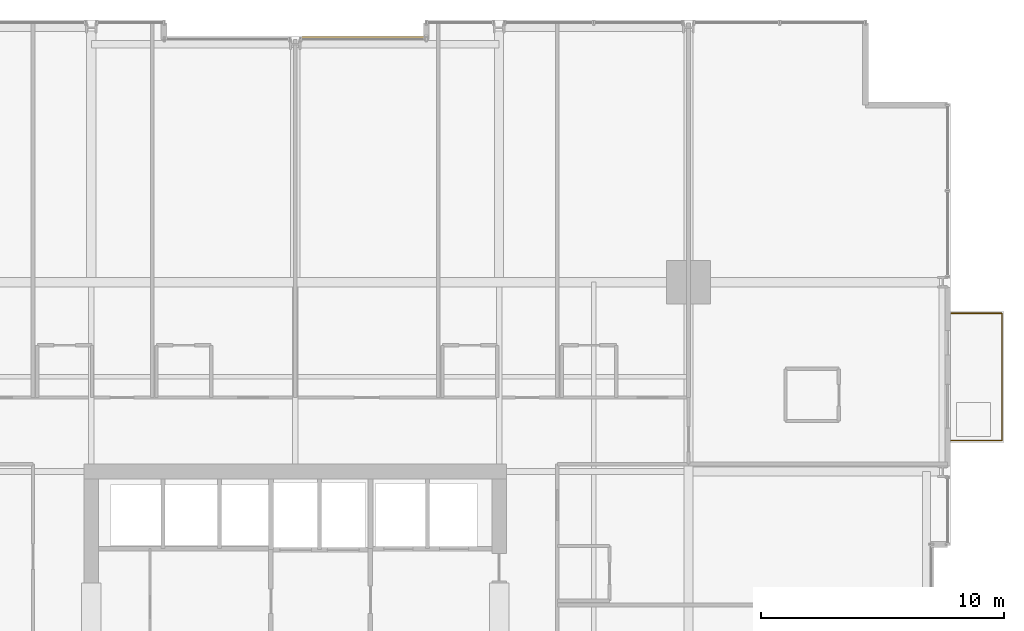
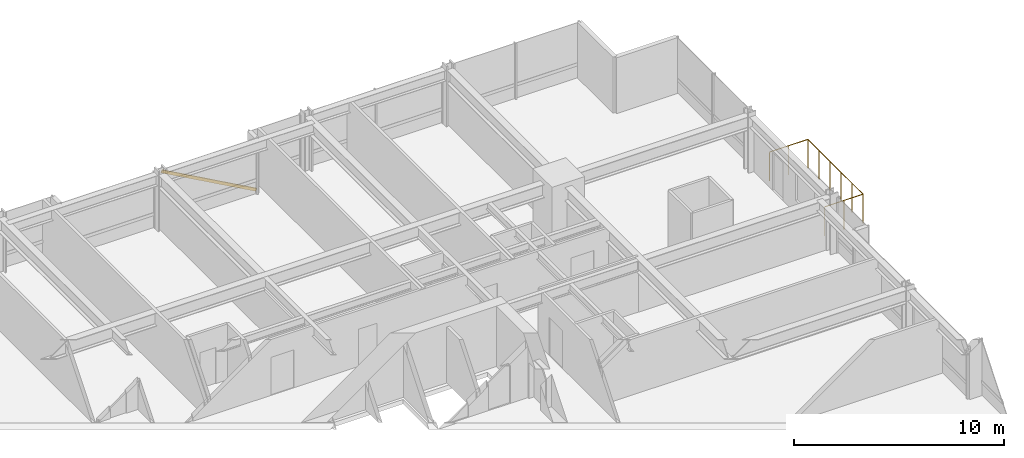
# One storey, part 38 of 38: 1 railing, 1 shading device.
"""IFC4 building model written with IfcOpenShell, lengths in metres."""

from ifc_helpers import new_model, si_unit, direction, frame, origin, origin_2d, place, context, subcontext, project, spatial, hollow_rectangle, circle, extrude, material, material_profile, profile_set, type_object, element, save


model = new_model("IFC4")

# Units and contexts
model_context = context("Model", 3, precision=1e-05, world=origin(), true_north=direction((0.0, 1.0)))
body_context = subcontext(model_context, "Body", "Model", "MODEL_VIEW")
ifc_project = project(units=[si_unit("LENGTHUNIT", "METRE"), si_unit("AREAUNIT", "SQUARE_METRE"), si_unit("VOLUMEUNIT", "CUBIC_METRE"), si_unit("PLANEANGLEUNIT", "RADIAN"), si_unit("MASSUNIT", "GRAM", prefix="KILO")], contexts=[model_context])

# Site, building, storey
site_placement = place(None, origin())
site = spatial("IfcSite", under=ifc_project, at=site_placement, CompositionType="ELEMENT")
building_placement = place(site_placement, origin())
building = spatial("IfcBuilding", under=site, at=building_placement, Name="Drelvath Grand Hotel", CompositionType="ELEMENT")
storey_placement = place(building_placement, frame((0.0, 0.0, 64.699951171875)))
storey = spatial("IfcBuildingStorey", under=building, at=storey_placement, Name="L15", CompositionType="ELEMENT", Elevation=64.699951171875)

# Shading device
ifc_material_1 = material(Name="Warm Bronze Anodised Aluminium", Category="aluminium")
ifc_material_profile = material_profile(ifc_material_1, hollow_rectangle(XDim=0.06494140625, YDim=0.159912109375, WallThickness=0.00390625, at=origin_2d()), Name="HSS160X65X4")
ifc_profile_set = profile_set([ifc_material_profile], Name="Warm Bronze Anodised Aluminium")
shading_device_type = type_object("IfcShadingDeviceType", Name="Diagonal Solar Fin Warm Bronze Anodised HSS160X65X4", PredefinedType="USERDEFINED", material=ifc_profile_set)
shading_device_placement = place(storey_placement, frame((5.39990234375, 53.280029296875, 0.179931640625), z_axis=(-0.873625592273, 0.0, 0.486598730502), x_axis=(0.0, -1.0, 0.0)))
element("IfcShadingDevice", 1, at=shading_device_placement, inside=storey, type_object=shading_device_type, Name="L15 Diagonal Anodised Fin CW02-L15-NM2", ObjectType="FIN", PredefinedType="USERDEFINED", context=body_context, shape_type="SweptSolid", body=[
    extrude(hollow_rectangle(XDim=0.06494140625, YDim=0.159912109375, WallThickness=0.00390625, at=origin_2d()), origin(), (0.0, 0.0, 1.0), 5.9189453125),
])

# Railing
ifc_material_2 = material(Name="Anodised Aluminium and Laminated Glass Balustrade", Category="aluminium")
railing_type = type_object("IfcRailingType", Name="Raised Planter Edge Balustrade 1700", PredefinedType="BALUSTRADE", material=ifc_material_2)
railing_placement = place(storey_placement, frame((27.02001953125, 36.679931640625, 0.0)))
element("IfcRailing", 2, at=railing_placement, inside=storey, type_object=railing_type, Name="L15 Tree Balcony Perimeter Balustrade 1", PredefinedType="BALUSTRADE", context=body_context, shape_type="SweptSolid", body=[
    extrude(circle(Radius=0.02392578125, at=origin_2d()), frame((0.0, 0.0, 1.67578125), z_axis=(1.0, 0.0, 0.0), x_axis=(0.0, 1.0, 0.0)), (0.0, 0.0, 1.0), 2.10009765625),
    extrude(circle(Radius=0.02392578125, at=origin_2d()), frame((2.10009765625, 0.0, 1.67578125), z_axis=(0.0, 1.0, 0.0), x_axis=(-1.0, 0.0, 0.0)), (0.0, 0.0, 1.0), 5.239990234375),
    extrude(circle(Radius=0.02392578125, at=origin_2d()), frame((2.10009765625, 5.239990234375, 1.67578125), z_axis=(-1.0, 0.0, 0.0), x_axis=(0.0, -1.0, 0.0)), (0.0, 0.0, 1.0), 2.10009765625),
    extrude(circle(Radius=0.02099609375, at=origin_2d()), origin(), (0.0, 0.0, 1.0), 1.65185546875),
    extrude(circle(Radius=0.02099609375, at=origin_2d()), frame((1.050048828125, 0.0, 0.0)), (0.0, 0.0, 1.0), 1.65185546875),
    extrude(circle(Radius=0.02099609375, at=origin_2d()), frame((2.10009765625, 0.0, 0.0)), (0.0, 0.0, 1.0), 1.65185546875),
    extrude(circle(Radius=0.02099609375, at=origin_2d()), frame((2.10009765625, 1.048095703125, 0.0)), (0.0, 0.0, 1.0), 1.65185546875),
    extrude(circle(Radius=0.02099609375, at=origin_2d()), frame((2.10009765625, 2.095947265625, 0.0)), (0.0, 0.0, 1.0), 1.65185546875),
    extrude(circle(Radius=0.02099609375, at=origin_2d()), frame((2.10009765625, 3.14404296875, 0.0)), (0.0, 0.0, 1.0), 1.65185546875),
    extrude(circle(Radius=0.02099609375, at=origin_2d()), frame((2.10009765625, 4.19189453125, 0.0)), (0.0, 0.0, 1.0), 1.65185546875),
    extrude(circle(Radius=0.02099609375, at=origin_2d()), frame((2.10009765625, 5.239990234375, 0.0)), (0.0, 0.0, 1.0), 1.65185546875),
    extrude(circle(Radius=0.02099609375, at=origin_2d()), frame((1.050048828125, 5.239990234375, 0.0)), (0.0, 0.0, 1.0), 1.65185546875),
    extrude(circle(Radius=0.02099609375, at=origin_2d()), frame((0.0, 5.239990234375, 0.0)), (0.0, 0.0, 1.0), 1.65185546875),
])

save(model, "model.ifc")
